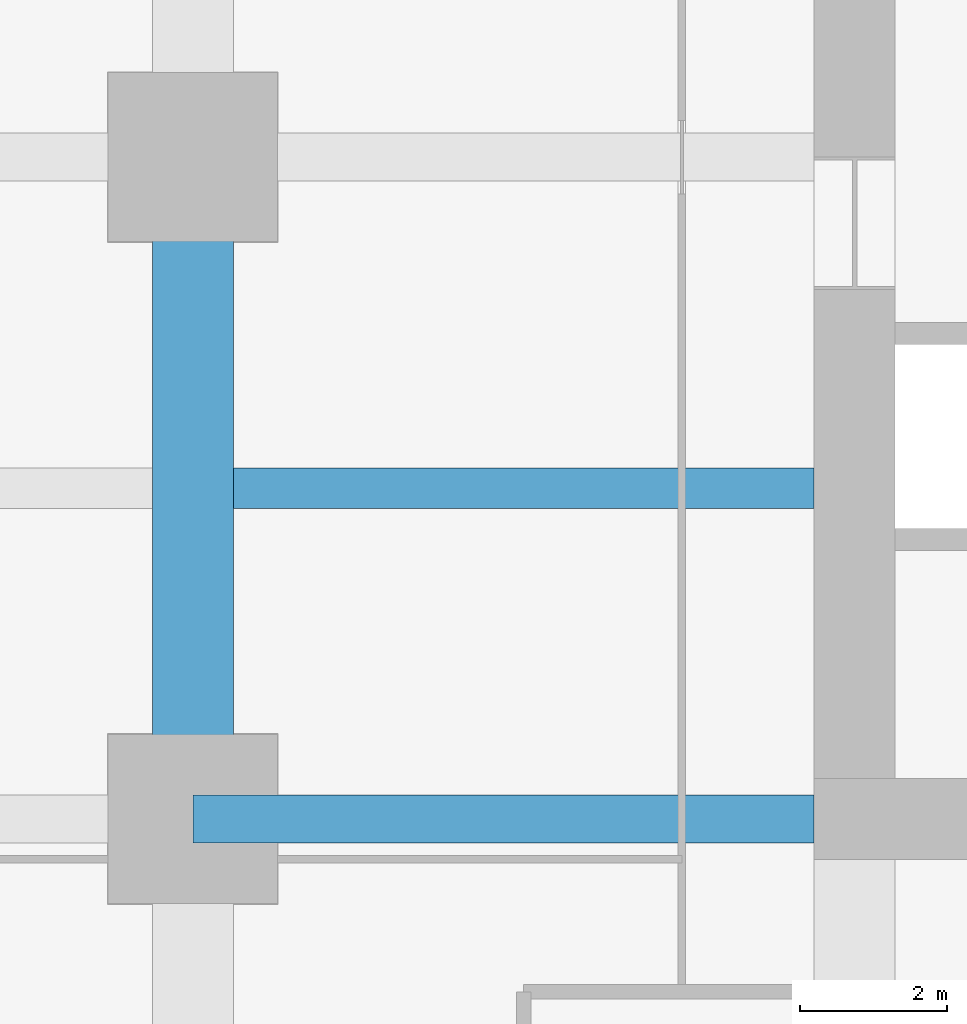
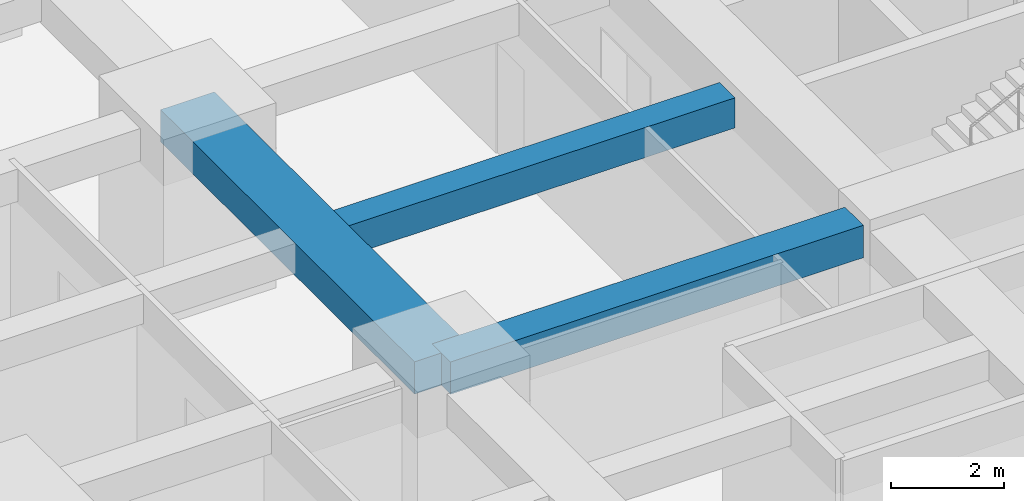
# One storey, part 10 of 44: 3 beams.
"""IFC4 building model written with IfcOpenShell, lengths in metres."""

from ifc_helpers import new_model, si_unit, direction, frame, origin, origin_2d, place, context, subcontext, project, spatial, rectangle, extrude, material, material_profile, profile_set, type_object, element, save


model = new_model("IFC4")

# Units and contexts
model_context = context("Model", 3, precision=1e-05, world=origin(), true_north=direction((0.0, 1.0)))
body_context = subcontext(model_context, "Body", "Model", "MODEL_VIEW")
ifc_project = project(units=[si_unit("LENGTHUNIT", "METRE"), si_unit("AREAUNIT", "SQUARE_METRE"), si_unit("VOLUMEUNIT", "CUBIC_METRE"), si_unit("PLANEANGLEUNIT", "RADIAN"), si_unit("MASSUNIT", "GRAM", prefix="KILO")], contexts=[model_context])

# Site, building, storey
site_placement = place(None, origin())
site = spatial("IfcSite", under=ifc_project, at=site_placement, CompositionType="ELEMENT")
building_placement = place(site_placement, origin())
building = spatial("IfcBuilding", under=site, at=building_placement, Name="Zorevar Civic Tower", CompositionType="ELEMENT")
storey_placement = place(building_placement, frame((0.0, 0.0, 35.800048828125)))
storey = spatial("IfcBuildingStorey", under=building, at=storey_placement, Name="L08", CompositionType="ELEMENT", Elevation=35.800048828125)

# Beams
ifc_material_1 = material(Name="Concrete C50/60", Category="concrete")
ifc_material_profile_1 = material_profile(ifc_material_1, rectangle(XDim=1.10009765625, YDim=0.699951171875, at=origin_2d()), Name="RC 1100x700")
ifc_profile_set_1 = profile_set([ifc_material_profile_1], Name="Concrete C50/60")
beam_type_1 = type_object("IfcBeamType", Name="Beam RC 1100x700", PredefinedType="BEAM", material=ifc_profile_set_1)
beam_1_placement = place(storey_placement, frame((9.0, 18.0, 3.39990234375), z_axis=(0.0, 1.0, 0.0), x_axis=(-1.0, 0.0, 0.0)))
element("IfcBeam", 1, at=beam_1_placement, inside=storey, type_object=beam_type_1, Name="Girder L09", PredefinedType="BEAM", context=body_context, shape_type="SweptSolid", body=[
    extrude(rectangle(XDim=1.10009765625, YDim=0.699951171875, at=origin_2d()), origin(), (0.0, 0.0, 1.0), 9.0),
])
ifc_material_2 = material(Name="Concrete C50/60", Category="concrete")
ifc_material_profile_2 = material_profile(ifc_material_2, rectangle(XDim=0.550048828125, YDim=0.64990234375, at=origin_2d()), Name="RC 550x650")
ifc_profile_set_2 = profile_set([ifc_material_profile_2], Name="Concrete C50/60")
beam_type_2 = type_object("IfcBeamType", Name="Beam RC 550x650", PredefinedType="BEAM", material=ifc_profile_set_2)
beam_2_placement = place(storey_placement, frame((9.550048828125, 22.5, 3.425048828125), z_axis=(1.0, 0.0, 0.0), x_axis=(0.0, 1.0, 0.0)))
element("IfcBeam", 2, at=beam_2_placement, inside=storey, type_object=beam_type_2, Name="Secondary beam L09", PredefinedType="BEAM", context=body_context, shape_type="SweptSolid", body=[
    extrude(rectangle(XDim=0.550048828125, YDim=0.64990234375, at=origin_2d()), origin(), (0.0, 0.0, 1.0), 7.89990234375),
])
ifc_material_3 = material(Name="Concrete C50/60", Category="concrete")
ifc_material_profile_3 = material_profile(ifc_material_3, rectangle(XDim=0.64990234375, YDim=0.699951171875, at=origin_2d()), Name="RC 650x700")
ifc_profile_set_3 = profile_set([ifc_material_profile_3], Name="Concrete C50/60")
beam_type_3 = type_object("IfcBeamType", Name="Beam RC 650x700", PredefinedType="BEAM", material=ifc_profile_set_3)
beam_3_placement = place(storey_placement, frame((9.0, 18.0, 3.39990234375), z_axis=(1.0, 0.0, 0.0), x_axis=(0.0, 1.0, 0.0)))
element("IfcBeam", 3, at=beam_3_placement, inside=storey, type_object=beam_type_3, Name="Girder L09", PredefinedType="BEAM", context=body_context, shape_type="SweptSolid", body=[
    extrude(rectangle(XDim=0.64990234375, YDim=0.699951171875, at=origin_2d()), origin(), (0.0, 0.0, 1.0), 8.449951171875),
])

save(model, "model.ifc")
